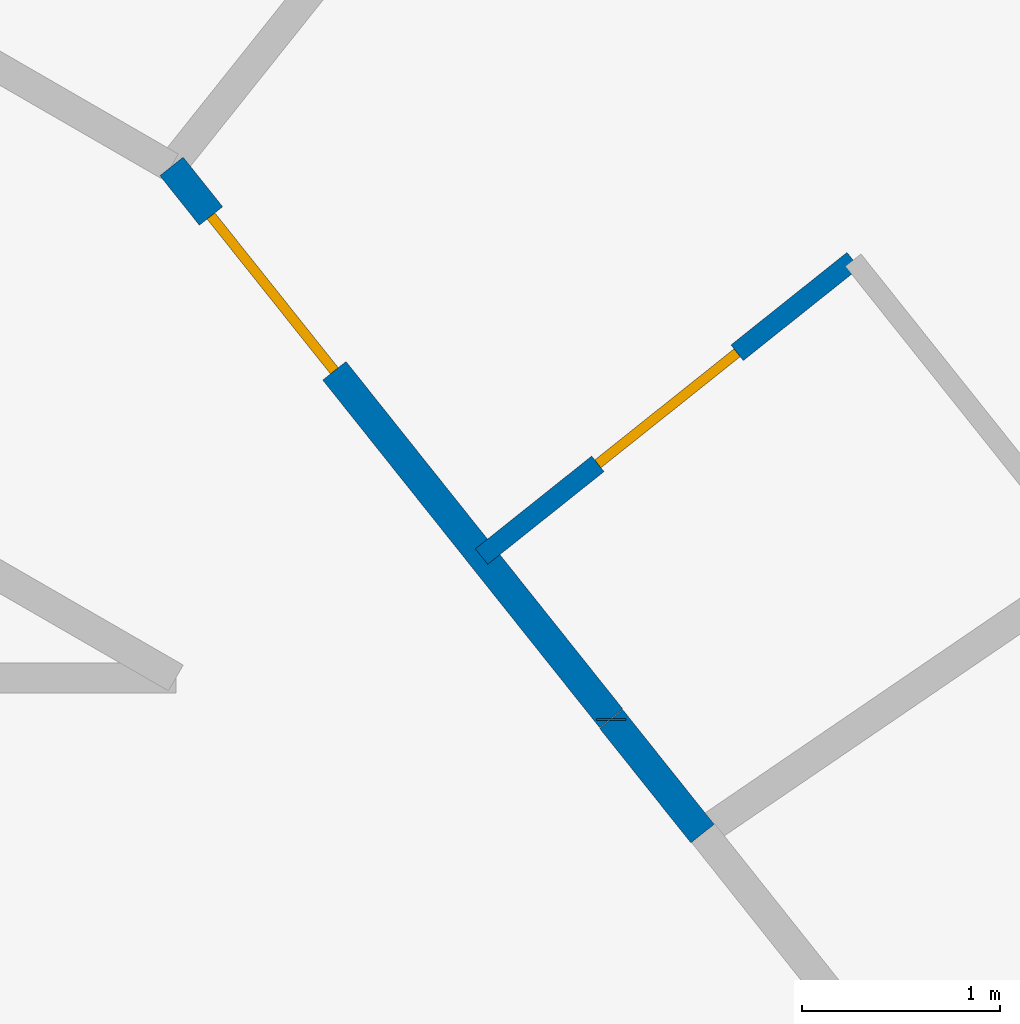
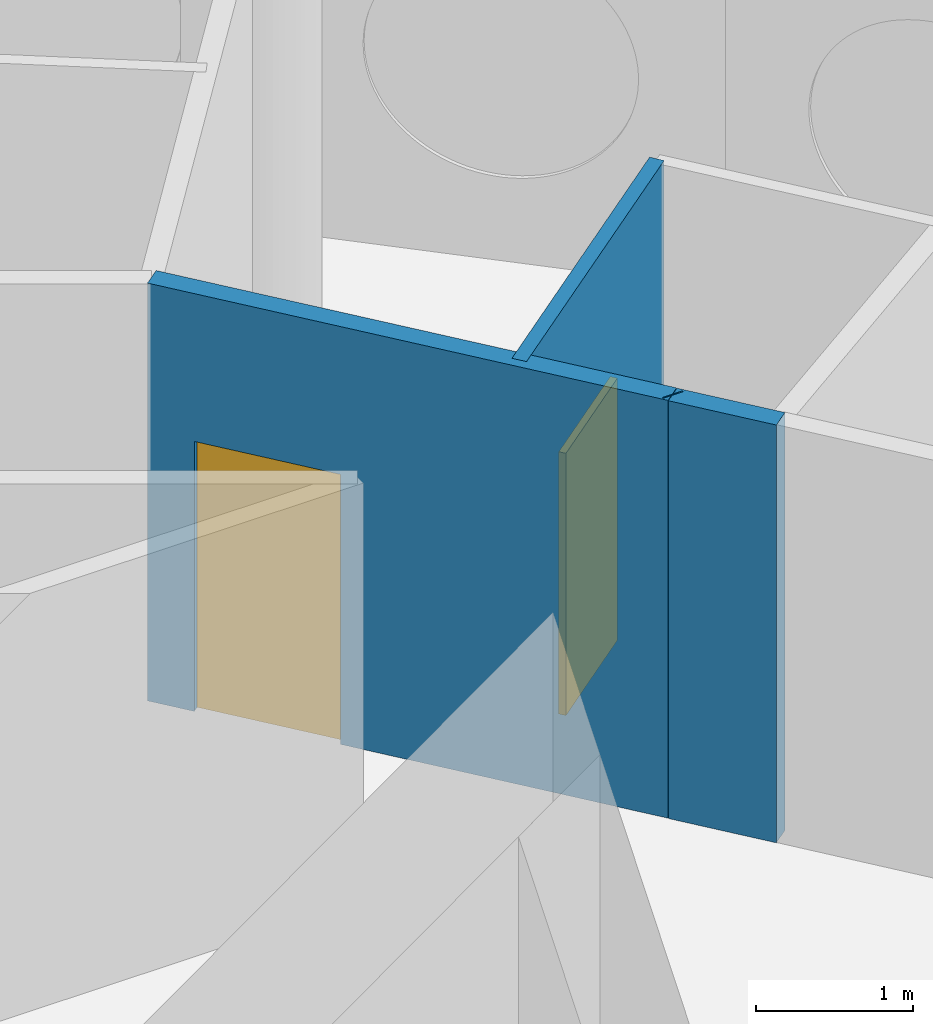
# One storey, part 9 of 13: 4 walls, 2 doors, 2 openings.
"""IFC4 building model written with IfcOpenShell, lengths in metres."""

import ifcopenshell
import ifcopenshell.guid

model = None  # the IFC model being written
_history = None  # IfcOwnerHistory: only IFC2X3 demands one
_inside = {}  # id of a spatial element -> (the spatial element, [elements in it])
_under = {}  # id of a project, library or spatial element -> (it, [spatial elements below it])
_declared = {}  # id of a project -> (the project, [libraries it declares])
_typed = {}  # id of a type object -> (the type object, [elements of that type])
_made_of = {}  # id of a material, layer set ... -> (it, [elements and type objects made of it])


def new_model(schema):
    """Start an empty IFC model of exactly this schema.

    Asked for "IFC4X3", IfcOpenShell would pick the latest addendum, in which some entities
    have other attributes; the version numbers below select the first issue.
    IFC2X3 requires an IfcOwnerHistory on every rooted entity: one is made here for all.
    """
    global model, _history
    if schema == "IFC4X3":
        model = ifcopenshell.file(schema_version=(4, 3, 0, 0))
    else:
        model = ifcopenshell.file(schema=schema)
    _inside.clear()
    _under.clear()
    _declared.clear()
    _typed.clear()
    _made_of.clear()
    _history = None
    if model.schema == "IFC2X3":
        org = make("IfcOrganization", Name="unknown")
        user = make(
            "IfcPersonAndOrganization",
            ThePerson=make("IfcPerson", FamilyName="unknown"),
            TheOrganization=org,
        )
        app = make(
            "IfcApplication",
            ApplicationDeveloper=org,
            Version="unknown",
            ApplicationFullName="unknown",
            ApplicationIdentifier="unknown",
        )
        _history = make(
            "IfcOwnerHistory",
            OwningUser=user,
            OwningApplication=app,
            ChangeAction="ADDED",
            CreationDate=0,
        )
    return model


def make(cls, **values):
    """One entity of the class cls with the attributes given. An attribute that is None is left unset."""
    return model.create_entity(
        cls, **{name: value for name, value in values.items() if value is not None}
    )


def rooted(cls, **values):
    """An entity with a GlobalId (a new one), such as an element, a storey or a relation."""
    return make(cls, GlobalId=ifcopenshell.guid.new(), OwnerHistory=_history, **values)


def si_unit(unit_type, name, prefix=None):
    """IfcSIUnit, for example si_unit("LENGTHUNIT", "METRE", prefix="MILLI")."""
    return make("IfcSIUnit", UnitType=unit_type, Prefix=prefix, Name=name)


def assignment(units):
    """IfcUnitAssignment: the units of a project."""
    return None if units is None else make("IfcUnitAssignment", Units=units)


def point(xyz):
    """IfcCartesianPoint."""
    return None if xyz is None else make("IfcCartesianPoint", Coordinates=xyz)


def direction(xyz):
    """IfcDirection."""
    return None if xyz is None else make("IfcDirection", DirectionRatios=xyz)


def frame(location, z_axis=None, x_axis=None):
    """IfcAxis2Placement3D, a coordinate frame: its origin and axes. An axis left out is left unset."""
    return make(
        "IfcAxis2Placement3D",
        Location=point(location),
        Axis=direction(z_axis),
        RefDirection=direction(x_axis),
    )


def frame_2d(location, x_axis=None):
    """IfcAxis2Placement2D, a coordinate frame in the plane: its origin and x axis."""
    return make(
        "IfcAxis2Placement2D", Location=point(location), RefDirection=direction(x_axis)
    )


def origin():
    """The frame at (0, 0, 0) with its axes left unset."""
    return frame((0.0, 0.0, 0.0))


def place(relative_to, where):
    """IfcLocalPlacement: puts the frame where relative to a parent placement (None: the world)."""
    return make(
        "IfcLocalPlacement", PlacementRelTo=relative_to, RelativePlacement=where
    )


def context(
    kind, dimensions, precision=None, world=None, true_north=None, identifier=None
):
    """IfcGeometricRepresentationContext, for example the 3D "Model" context."""
    return make(
        "IfcGeometricRepresentationContext",
        ContextIdentifier=identifier,
        ContextType=kind,
        CoordinateSpaceDimension=dimensions,
        Precision=precision,
        WorldCoordinateSystem=world,
        TrueNorth=true_north,
    )


def subcontext(parent, identifier, kind, view, scale=None):
    """IfcGeometricRepresentationSubContext, for example "Body" below "Model"."""
    return make(
        "IfcGeometricRepresentationSubContext",
        ContextIdentifier=identifier,
        ContextType=kind,
        ParentContext=parent,
        TargetScale=scale,
        TargetView=view,
    )


def project(units=None, contexts=None):
    """IfcProject with its units and contexts."""
    return rooted(
        "IfcProject",
        Name="project",
        RepresentationContexts=contexts,
        UnitsInContext=assignment(units),
    )


def spatial(cls, under=None, at=None, **own):
    """A site, building, storey or space (cls), placed at a placement, below another one or the project."""
    s = rooted(cls, ObjectPlacement=at, **own)
    if under is not None:
        _under.setdefault(under.id(), (under, []))[1].append(s)
    return s


def profile(cls, at=None, kind="AREA", **sizes):
    """A parametric profile (cls). Its sizes go by their IFC names, for example OverallWidth=200.0."""
    return make(cls, ProfileType=kind, Position=at, **sizes)


def rectangle(**sizes):
    """IfcRectangleProfileDef."""
    return profile("IfcRectangleProfileDef", **sizes)


def extrude(swept, where, along, depth):
    """IfcExtrudedAreaSolid: the profile swept, set in the frame where, extruded along a direction by depth."""
    return make(
        "IfcExtrudedAreaSolid",
        SweptArea=swept,
        Position=where,
        ExtrudedDirection=direction(along),
        Depth=depth,
    )


def shape(context_of_items, identifier, shape_type, items):
    """IfcShapeRepresentation: the items that make up one representation, for example the "Body"."""
    return make(
        "IfcShapeRepresentation",
        ContextOfItems=context_of_items,
        RepresentationIdentifier=identifier,
        RepresentationType=shape_type,
        Items=items,
    )


def material(Name=None, Category=None):
    """IfcMaterial."""
    return make("IfcMaterial", Name=Name, Category=Category)


def layer(
    of_material, thickness, ventilated=None, Name=None, Category=None, Priority=None
):
    """IfcMaterialLayer: one layer of a wall or slab, of a material (None: an air gap)."""
    return make(
        "IfcMaterialLayer",
        Material=of_material,
        LayerThickness=thickness,
        IsVentilated=ventilated,
        Name=Name,
        Category=Category,
        Priority=Priority,
    )


def layer_set(layers, Name=None):
    """IfcMaterialLayerSet."""
    return make("IfcMaterialLayerSet", MaterialLayers=layers, LayerSetName=Name)


def made_of(thing, what):
    """Note that an element or type object is made of a material, layer set ...; save() writes the relation."""
    if what is not None:
        _made_of.setdefault(what.id(), (what, []))[1].append(thing)
    return thing


def type_object(cls, material=None, **own):
    """A type object (cls), such as IfcWallType, which elements share."""
    return made_of(rooted(cls, **own), material)


def element(
    cls,
    number,
    at=None,
    inside=None,
    cuts=None,
    type_object=None,
    material=None,
    context=None,
    identifier="Body",
    shape_type=None,
    held_by="IfcProductDefinitionShape",
    body=None,
    shapes=None,
    **own,
):
    """One element of the class cls, such as IfcWall. Its Tag is "e" and its number.

    at: its placement. inside: the storey or other place that contains it. cuts: it is an
    opening in that element (IfcRelVoidsElement). A single representation is given by context,
    identifier, shape_type and body (its items); several are given by shapes. held_by: the class
    of the entity that holds the representations. save() writes the other relations.
    """
    e = rooted(cls, Tag="e%d" % number, ObjectPlacement=at, **own)
    if body is not None:
        shapes = [shape(context, identifier, shape_type, body)]
    if shapes is not None:
        e.Representation = make(held_by, Representations=shapes)
    if inside is not None:
        _inside.setdefault(inside.id(), (inside, []))[1].append(e)
    if cuts is not None:
        rooted(
            "IfcRelVoidsElement", RelatingBuildingElement=cuts, RelatedOpeningElement=e
        )
    if type_object is not None:
        _typed.setdefault(type_object.id(), (type_object, []))[1].append(e)
    return made_of(e, material)


def fill(opening, filler):
    """IfcRelFillsElement: the door or window that sits in an opening."""
    return rooted(
        "IfcRelFillsElement",
        RelatingOpeningElement=opening,
        RelatedBuildingElement=filler,
    )


def aggregate(whole, parts):
    """IfcRelAggregates: a whole, such as a stair, and the parts it consists of."""
    return rooted("IfcRelAggregates", RelatingObject=whole, RelatedObjects=parts)


def save(model, path):
    """Write the relations noted so far, then the file.

    IfcRelAggregates (storeys below a building ...), IfcRelContainedInSpatialStructure (elements
    in a storey), IfcRelDefinesByType, IfcRelAssociatesMaterial and IfcRelDeclares: one each for
    every whole, place, type object, material and project.
    """
    for whole, parts in _under.values():
        aggregate(whole, parts)
    for where, things in _inside.values():
        rooted(
            "IfcRelContainedInSpatialStructure",
            RelatedElements=things,
            RelatingStructure=where,
        )
    for kind, things in _typed.values():
        rooted("IfcRelDefinesByType", RelatedObjects=things, RelatingType=kind)
    for what, things in _made_of.values():
        rooted("IfcRelAssociatesMaterial", RelatedObjects=things, RelatingMaterial=what)
    for by, libraries in _declared.values():
        rooted("IfcRelDeclares", RelatingContext=by, RelatedDefinitions=libraries)
    model.write(path)


model = new_model("IFC4")

# Units and contexts
model_context = context("Model", 3, precision=1e-05, world=origin(), true_north=direction((0.0, 1.0)))
body_context = subcontext(model_context, "Body", "Model", "MODEL_VIEW")
ifc_project = project(units=[si_unit("LENGTHUNIT", "METRE"), si_unit("AREAUNIT", "SQUARE_METRE"), si_unit("VOLUMEUNIT", "CUBIC_METRE"), si_unit("PLANEANGLEUNIT", "RADIAN"), si_unit("MASSUNIT", "GRAM", prefix="KILO")], contexts=[model_context])

# Site, building, storey
site_placement = place(None, origin())
site = spatial("IfcSite", under=ifc_project, at=site_placement, CompositionType="ELEMENT")
building_placement = place(site_placement, origin())
building = spatial("IfcBuilding", under=site, at=building_placement, Name="Tracery Tower", CompositionType="ELEMENT")
storey_placement = place(building_placement, frame((0.0, 0.0, 309.0)))
storey = spatial("IfcBuildingStorey", under=building, at=storey_placement, Name="L80", CompositionType="ELEMENT", Elevation=309.0)

# Wall, opening, door
ifc_material_1 = material(Name="Plasterboard on steel studs", Category="steel")
ifc_layer_1 = layer(ifc_material_1, 0.10009765625)
ifc_layer_set_1 = layer_set([ifc_layer_1], Name="Partition 100 wet wall")
wall_type_1 = type_object("IfcWallType", Name="Partition 100 wet wall", PredefinedType="PARTITIONING", material=ifc_layer_set_1)
wall_1_placement = place(storey_placement, frame((10.64501953125, 9.4130859375, 0.0), z_axis=(0.0, 0.0, 1.0), x_axis=(0.781830263661, 0.623491330191, 0.0)))
wall_1 = element("IfcWall", 1, at=wall_1_placement, inside=storey, type_object=wall_type_1, Name="Wet wall RC8-052", PredefinedType="PARTITIONING", context=body_context, shape_type="SweptSolid", body=[
    extrude(rectangle(XDim=2.400634765625, YDim=0.10009765625, at=frame_2d((1.2001953125, 0.0))), origin(), (0.0, 0.0, 1.0), 3.25),
])
opening_1_placement = place(wall_1_placement, frame((0.7509765625, 0.0, 0.0)))
opening_1 = element("IfcOpeningElement", 2, at=opening_1_placement, cuts=wall_1, Name="Opening RC8-08", PredefinedType="OPENING", context=body_context, shape_type="SweptSolid", body=[
    extrude(rectangle(XDim=0.89990234375, YDim=2.0400390625, at=frame_2d((0.449951171875, 1.02001953125))), frame((0.0, 0.050048828125, 0.0), z_axis=(0.0, -1.0, 0.0), x_axis=(1.0, 0.0, 0.0)), (0.0, 0.0, 1.0), 0.10009765625),
])
ifc_material_2 = material(Name="Timber door leaf", Category="wood")
door_type_1 = type_object("IfcDoorType", Name="Door en-suite 900", OperationType="NOTDEFINED", PredefinedType="DOOR", material=ifc_material_2)
door_1_placement = place(opening_1_placement, origin())
door_1 = element("IfcDoor", 3, at=door_1_placement, inside=storey, type_object=door_type_1, Name="En-suite door RC8-08", OperationType="SINGLE_SWING_LEFT", OverallHeight=2.0400390625, OverallWidth=0.89990234375, PredefinedType="DOOR", context=body_context, shape_type="SweptSolid", body=[
    extrude(rectangle(XDim=0.89990234375, YDim=2.0400390625, at=frame_2d((0.449951171875, 1.02001953125))), frame((0.0, 0.02490234375, 0.0), z_axis=(0.0, -1.0, 0.0), x_axis=(1.0, 0.0, 0.0)), (0.0, 0.0, 1.0), 0.050048828125),
])
fill(opening_1, door_1)

ifc_material_3 = material(Name="Plasterboard on steel studs", Category="steel")
ifc_layer_2 = layer(ifc_material_3, 0.14990234375)
ifc_layer_set_2 = layer_set([ifc_layer_2], Name="Partition 150 corridor wall")
wall_type_2 = type_object("IfcWallType", Name="Partition 150 corridor wall", PredefinedType="PARTITIONING", material=ifc_layer_set_2)
wall_2_placement = place(storey_placement, frame((9.0791015625, 11.383544921875, 0.0), z_axis=(0.0, 0.0, 1.0), x_axis=(0.623165080354, -0.782090328944, 0.0)))
wall_2 = element("IfcWall", 4, at=wall_2_placement, inside=storey, type_object=wall_type_2, Name="Corridor wall RC8-005", PredefinedType="PARTITIONING", context=body_context, shape_type="SweptSolid", body=[
    extrude(rectangle(XDim=3.56396484375, YDim=0.14990234375, at=frame_2d((1.781982421875, 0.0))), origin(), (0.0, 0.0, 1.0), 3.25),
])
opening_2_placement = place(wall_2_placement, frame((0.320068359375, 0.0, 0.0)))
opening_2 = element("IfcOpeningElement", 5, at=opening_2_placement, cuts=wall_2, Name="Opening RC8-09", PredefinedType="OPENING", context=body_context, shape_type="SweptSolid", body=[
    extrude(rectangle(XDim=1.0, YDim=2.10009765625, at=frame_2d((0.5, 1.050048828125))), frame((0.0, 0.074951171875, 0.0), z_axis=(0.0, -1.0, 0.0), x_axis=(1.0, 0.0, 0.0)), (0.0, 0.0, 1.0), 0.14990234375),
])
ifc_material_4 = material(Name="Timber door leaf", Category="wood")
door_type_2 = type_object("IfcDoorType", Name="Door unit entrance 1000", OperationType="NOTDEFINED", PredefinedType="DOOR", material=ifc_material_4)
door_2_placement = place(opening_2_placement, origin())
door_2 = element("IfcDoor", 6, at=door_2_placement, inside=storey, type_object=door_type_2, Name="Unit entrance door RC8-09", OperationType="SINGLE_SWING_LEFT", OverallHeight=2.10009765625, OverallWidth=1.0, PredefinedType="DOOR", context=body_context, shape_type="SweptSolid", body=[
    extrude(rectangle(XDim=1.0, YDim=2.10009765625, at=frame_2d((0.5, 1.050048828125))), frame((0.0, 0.02490234375, 0.0), z_axis=(0.0, -1.0, 0.0), x_axis=(1.0, 0.0, 0.0)), (0.0, 0.0, 1.0), 0.050048828125),
])
fill(opening_2, door_2)

# Walls
wall_3_placement = place(storey_placement, frame((11.300048828125, 8.5859375, 0.0), z_axis=(0.0, 0.0, 1.0), x_axis=(0.0, 1.0, 0.0)))
element("IfcWall", 7, at=wall_3_placement, inside=storey, type_object=wall_type_2, Name="Corridor wall RC8-007", PredefinedType="PARTITIONING", context=body_context, shape_type="SweptSolid", body=[
    extrude(rectangle(XDim=0.01025390625, YDim=0.14990234375, at=frame_2d((0.005126953125, 0.0))), origin(), (0.0, 0.0, 1.0), 3.25),
])
wall_4_placement = place(storey_placement, frame((11.300048828125, 8.592041015625, 0.0), z_axis=(0.0, 0.0, 1.0), x_axis=(0.623405636383, -0.781898594785, 0.0)))
element("IfcWall", 8, at=wall_4_placement, inside=storey, type_object=wall_type_2, Name="Corridor wall RC8-022", PredefinedType="PARTITIONING", context=body_context, shape_type="SweptSolid", body=[
    extrude(rectangle(XDim=0.739501953125, YDim=0.14990234375, at=frame_2d((0.36962890625, 0.0))), origin(), (0.0, 0.0, 1.0), 3.25),
])

save(model, "model.ifc")
